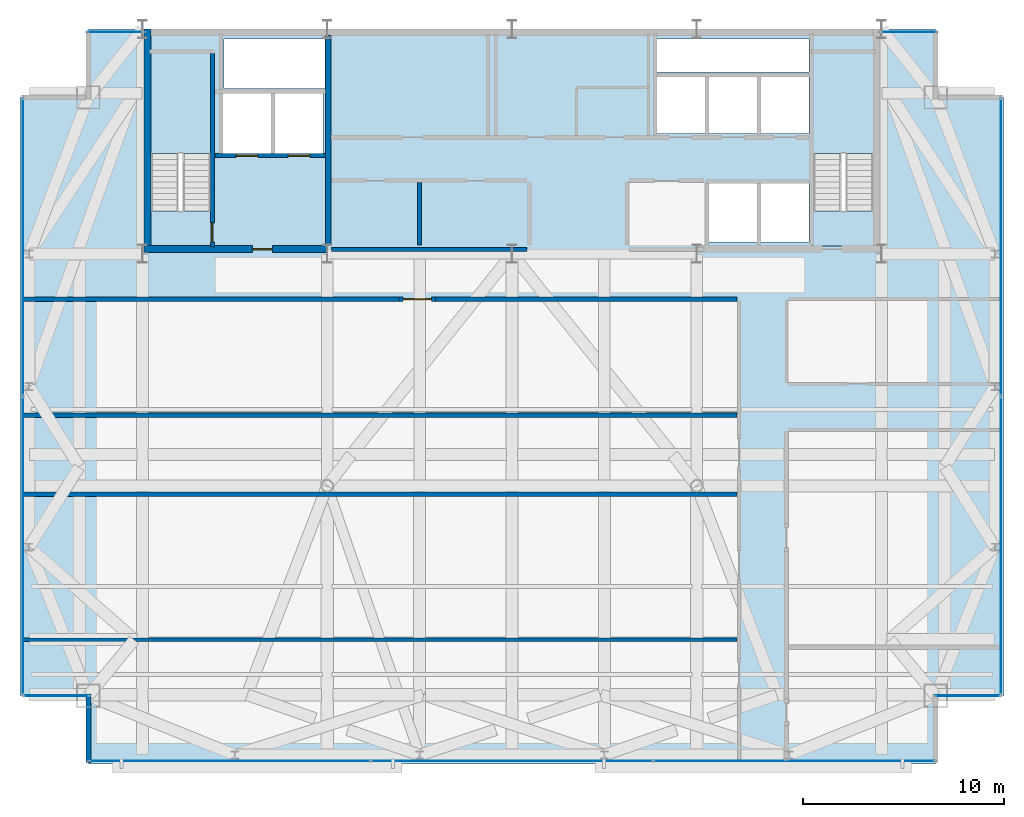
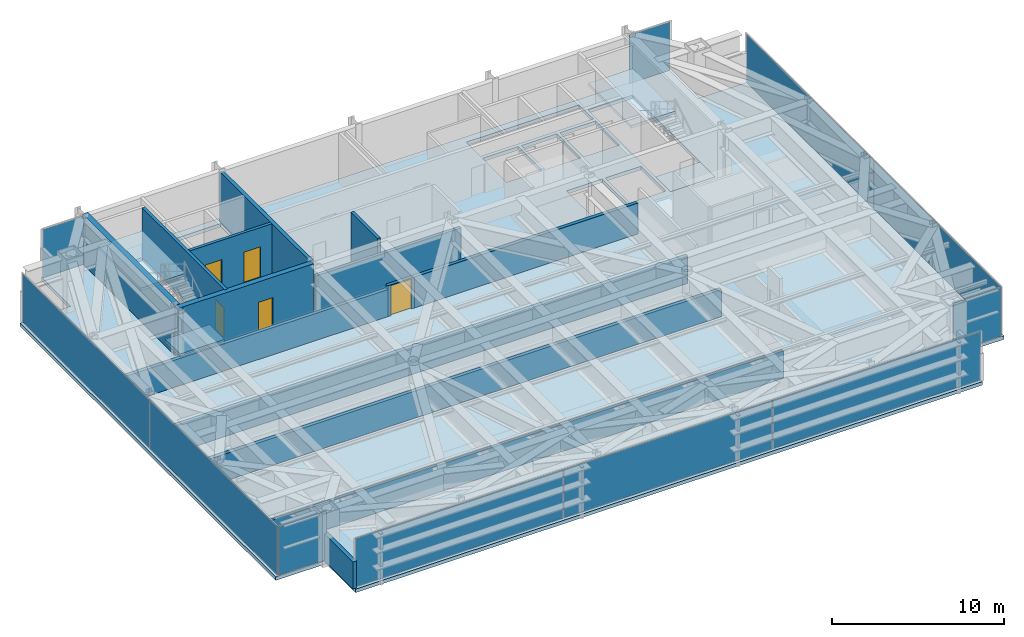
# One storey, part 20 of 23: 14 walls, 11 plates, 5 doors, 5 slabs, 5 openings, 9 elements without a shape of their own.
"""IFC4 building model written with IfcOpenShell, lengths in metres."""

from ifc_helpers import new_model, si_unit, direction, frame, frame_2d, origin, origin_2d, place, context, subcontext, project, spatial, polyline, rectangle, outline, extrude, source, transform, mapped, material, layer, layer_set, type_object, type_shapes, element, fill, aggregate, save


model = new_model("IFC4")

# Units and contexts
model_context = context("Model", 3, precision=1e-05, world=origin(), true_north=direction((0.0, 1.0)))
body_context = subcontext(model_context, "Body", "Model", "MODEL_VIEW")
ifc_project = project(units=[si_unit("LENGTHUNIT", "METRE"), si_unit("AREAUNIT", "SQUARE_METRE"), si_unit("VOLUMEUNIT", "CUBIC_METRE"), si_unit("PLANEANGLEUNIT", "RADIAN"), si_unit("MASSUNIT", "GRAM", prefix="KILO")], contexts=[model_context])

# Site, building, storey
site_placement = place(None, origin())
site = spatial("IfcSite", under=ifc_project, at=site_placement, CompositionType="ELEMENT")
building_placement = place(site_placement, origin())
building = spatial("IfcBuilding", under=site, at=building_placement, Name="Varnel Quay Broadcast Tower", CompositionType="ELEMENT")
storey_placement = place(building_placement, frame((0.0, 0.0, 254.60009765625)))
storey = spatial("IfcBuildingStorey", under=building, at=storey_placement, Name="L63", CompositionType="ELEMENT", Elevation=254.60009765625)

# Slabs
ifc_material_1 = material(Name="Concrete CSA A23.3 C50/60", Category="concrete")
ifc_layer_1 = layer(ifc_material_1, 0.25, Name="Concrete CSA A23.3 C50/60")
ifc_layer_set_1 = layer_set([ifc_layer_1], Name="Concrete CSA A23.3 C50/60")
slab_type_1 = type_object("IfcSlabType", Name="Slab_Floor250", PredefinedType="FLOOR", material=ifc_layer_set_1)
slab_1_placement = place(storey_placement, frame((0.0, 0.0, -0.25)))
element("IfcSlab", 1, at=slab_1_placement, inside=storey, type_object=slab_type_1, Name="L63 Structural Slab", PredefinedType="FLOOR", context=body_context, shape_type="SweptSolid", body=[
    extrude(outline(polyline([(12.89990234375, 10.199951171875), (55.10009765625, 10.199951171875), (55.10009765625, 13.60009765625), (58.5, 13.60009765625), (58.5, 43.39990234375), (55.10009765625, 43.39990234375), (55.10009765625, 46.800048828125), (12.89990234375, 46.800048828125), (12.89990234375, 43.39990234375), (9.5, 43.39990234375), (9.5, 13.60009765625), (12.89990234375, 13.60009765625), (12.89990234375, 10.199951171875)]), holes=[polyline([(19.0, 36.0), (16.0, 36.0), (16.0, 45.60009765625), (19.0, 45.60009765625), (19.0, 36.0)]), polyline([(19.60009765625, 40.60009765625), (19.60009765625, 43.60009765625), (22.0, 43.60009765625), (22.0, 40.60009765625), (19.60009765625, 40.60009765625)]), polyline([(22.199951171875, 40.60009765625), (22.199951171875, 43.60009765625), (24.60009765625, 43.60009765625), (24.60009765625, 40.60009765625), (22.199951171875, 40.60009765625)]), polyline([(41.199951171875, 44.39990234375), (43.60009765625, 44.39990234375), (43.60009765625, 41.60009765625), (41.199951171875, 41.60009765625), (41.199951171875, 44.39990234375)]), polyline([(43.800048828125, 44.39990234375), (46.199951171875, 44.39990234375), (46.199951171875, 41.60009765625), (43.800048828125, 41.60009765625), (43.800048828125, 44.39990234375)]), polyline([(19.64990234375, 43.85009765625), (19.64990234375, 46.300048828125), (24.679931640625, 46.300048828125), (24.679931640625, 43.85009765625), (19.64990234375, 43.85009765625)]), polyline([(43.800048828125, 39.10009765625), (46.199951171875, 39.10009765625), (46.199951171875, 36.199951171875), (43.800048828125, 36.199951171875), (43.800048828125, 39.10009765625)]), polyline([(46.39990234375, 39.10009765625), (48.800048828125, 39.10009765625), (48.800048828125, 36.199951171875), (46.39990234375, 36.199951171875), (46.39990234375, 39.10009765625)]), polyline([(52.0, 36.0), (49.0, 36.0), (49.0, 45.60009765625), (52.0, 45.60009765625), (52.0, 36.0)]), polyline([(46.39990234375, 44.39990234375), (48.800048828125, 44.39990234375), (48.800048828125, 41.60009765625), (46.39990234375, 41.60009765625), (46.39990234375, 44.39990234375)]), polyline([(41.199951171875, 46.300048828125), (48.800048828125, 46.300048828125), (48.800048828125, 44.64990234375), (41.199951171875, 44.64990234375), (41.199951171875, 46.300048828125)])]), origin(), (0.0, 0.0, 1.0), 0.25),
])
ifc_layer_2 = layer(ifc_material_1, 0.25, Name="Concrete CSA A23.3 C50/60")
ifc_layer_set_2 = layer_set([ifc_layer_2], Name="Concrete CSA A23.3 C50/60")
slab_type_2 = type_object("IfcSlabType", Name="Slab_StairFloorLanding250", PredefinedType="FLOOR", material=ifc_layer_set_2)
slab_2_placement = place(storey_placement, frame((0.0, 0.0, -0.25)))
element("IfcSlab", 2, at=slab_2_placement, inside=storey, type_object=slab_type_2, Name="L63 ST-01 Structural Floor Landing Slab", PredefinedType="FLOOR", context=body_context, shape_type="SweptSolid", body=[
    extrude(outline(polyline([(19.0, 36.0), (19.0, 37.75), (16.0, 37.75), (16.0, 36.0), (19.0, 36.0)])), origin(), (0.0, 0.0, 1.0), 0.25),
])
slab_3_placement = place(storey_placement, frame((0.0, 0.0, -0.25)))
element("IfcSlab", 3, at=slab_3_placement, inside=storey, type_object=slab_type_2, Name="L63 ST-02 Structural Floor Landing Slab", PredefinedType="FLOOR", context=body_context, shape_type="SweptSolid", body=[
    extrude(outline(polyline([(52.0, 36.0), (52.0, 37.75), (49.0, 37.75), (49.0, 36.0), (52.0, 36.0)])), origin(), (0.0, 0.0, 1.0), 0.25),
])

# Stair, slab
ifc_material_2 = material(Name="Precast Structural Concrete C40/50", Category="concrete")
stair_type_1 = type_object("IfcStairType", Name="Stair_ST-01", PredefinedType="HALF_TURN_STAIR", material=ifc_material_2)
stair_1_placement = place(storey_placement, origin())
stair_1 = element("IfcStair", 4, at=stair_1_placement, inside=storey, type_object=stair_type_1, Name="L63 West Core Exit Stair 1", PredefinedType="HALF_TURN_STAIR")
ifc_layer_3 = layer(ifc_material_2, 0.199951171875, Name="Precast Structural Concrete C40/50")
ifc_layer_set_3 = layer_set([ifc_layer_3], Name="Precast Structural Concrete C40/50")
slab_type_3 = type_object("IfcSlabType", Name="Slab_StairLanding200", PredefinedType="LANDING", material=ifc_layer_set_3)
slab_4_placement = place(storey_placement, frame((0.0, 0.0, 1.699951171875)))
slab_4 = element("IfcSlab", 5, at=slab_4_placement, type_object=slab_type_3, Name="ST-01 landing 1", PredefinedType="LANDING", context=body_context, shape_type="SweptSolid", body=[
    extrude(outline(polyline([(19.0, 40.60009765625), (19.0, 45.60009765625), (16.0, 45.60009765625), (16.0, 40.60009765625), (19.0, 40.60009765625)])), origin(), (0.0, 0.0, 1.0), 0.199951171875),
])
aggregate(stair_1, [slab_4])

stair_type_2 = type_object("IfcStairType", Name="Stair_ST-02", PredefinedType="HALF_TURN_STAIR", material=ifc_material_2)
stair_2_placement = place(storey_placement, origin())
stair_2 = element("IfcStair", 6, at=stair_2_placement, inside=storey, type_object=stair_type_2, Name="L63 East Core Exit Stair 2", PredefinedType="HALF_TURN_STAIR")
slab_5_placement = place(storey_placement, frame((0.0, 0.0, 1.699951171875)))
slab_5 = element("IfcSlab", 7, at=slab_5_placement, type_object=slab_type_3, Name="ST-02 landing 1", PredefinedType="LANDING", context=body_context, shape_type="SweptSolid", body=[
    extrude(outline(polyline([(52.0, 40.60009765625), (52.0, 45.60009765625), (49.0, 45.60009765625), (49.0, 40.60009765625), (52.0, 40.60009765625)])), origin(), (0.0, 0.0, 1.0), 0.199951171875),
])
aggregate(stair_2, [slab_5])

# Curtain wall, plate
ifc_material_3 = material(Name="Anodised Bronze Aluminium 6063-T6", Category="aluminium")
ifc_layer_4 = layer(ifc_material_3, 0.18994140625, Name="Anodised Bronze Aluminium 6063-T6")
ifc_layer_set_4 = layer_set([ifc_layer_4], Name="Anodised Bronze Aluminium 6063-T6")
curtain_wall_type_1 = type_object("IfcCurtainWallType", Name="CW_NotchCorner", PredefinedType="NOTDEFINED", material=ifc_layer_set_4)
curtain_wall_1_placement = place(storey_placement, origin())
curtain_wall_1 = element("IfcCurtainWall", 8, at=curtain_wall_1_placement, inside=storey, type_object=curtain_wall_type_1, Name="L63 SW Notch Curtain Wall", PredefinedType="NOTDEFINED")
ifc_material_4 = material(Name="Triple-Glazed Bronze Low-E Architectural Glass", Category="glass")
ifc_layer_5 = layer(ifc_material_4, 0.028076171875, Name="Triple-Glazed Bronze Low-E Architectural Glass")
ifc_layer_set_5 = layer_set([ifc_layer_5], Name="Triple-Glazed Bronze Low-E Architectural Glass")
plate_type_1 = type_object("IfcPlateType", Name="Panel_CWS-04", PredefinedType="CURTAIN_PANEL", material=ifc_layer_set_5)
shared_shape_1 = source(origin(), body_context, "Body", "SweptSolid", [
    extrude(rectangle(XDim=3.2099609375, YDim=0.028076171875, at=origin_2d()), origin(), (0.0, 0.0, 1.0), 3.43994140625),
])
type_shapes(plate_type_1, [shared_shape_1])
plate_1_placement = place(storey_placement, frame((11.31494140625, 13.60009765625, 0.054931640625), z_axis=(0.0, 0.0, 1.0), x_axis=(1.0, 0.0, 0.0)))
plate_1 = element("IfcPlate", 9, at=plate_1_placement, type_object=plate_type_1, Name="CWS-04 panel 1.1", PredefinedType="CURTAIN_PANEL", context=body_context, shape_type="MappedRepresentation", body=[
    mapped(shared_shape_1, transform((0.0, 0.0, 0.0), x_axis=(1.0, 0.0, 0.0), y_axis=(0.0, 1.0, 0.0), z_axis=(0.0, 0.0, 1.0), scale=1.0)),
])
aggregate(curtain_wall_1, [plate_1])

curtain_wall_2_placement = place(storey_placement, origin())
curtain_wall_2 = element("IfcCurtainWall", 10, at=curtain_wall_2_placement, inside=storey, type_object=curtain_wall_type_1, Name="L63 SE Notch Curtain Wall", PredefinedType="NOTDEFINED")
plate_2_placement = place(storey_placement, frame((56.68505859375, 13.60009765625, 0.054931640625), z_axis=(0.0, 0.0, 1.0), x_axis=(1.0, 0.0, 0.0)))
plate_2 = element("IfcPlate", 11, at=plate_2_placement, type_object=plate_type_1, Name="CWS-04 panel 1.1", PredefinedType="CURTAIN_PANEL", context=body_context, shape_type="MappedRepresentation", body=[
    mapped(shared_shape_1, transform((0.0, 0.0, 0.0), x_axis=(1.0, 0.0, 0.0), y_axis=(0.0, 1.0, 0.0), z_axis=(0.0, 0.0, 1.0), scale=1.0)),
])
aggregate(curtain_wall_2, [plate_2])

ifc_layer_6 = layer(ifc_material_3, 0.18994140625, Name="Anodised Bronze Aluminium 6063-T6")
ifc_layer_set_6 = layer_set([ifc_layer_6], Name="Anodised Bronze Aluminium 6063-T6")
curtain_wall_type_2 = type_object("IfcCurtainWallType", Name="CW_UpperTower", PredefinedType="NOTDEFINED", material=ifc_layer_set_6)
curtain_wall_3_placement = place(storey_placement, origin())
curtain_wall_3 = element("IfcCurtainWall", 12, at=curtain_wall_3_placement, inside=storey, type_object=curtain_wall_type_2, Name="L63 NW Wing Curtain Wall", PredefinedType="NOTDEFINED")
ifc_layer_7 = layer(ifc_material_4, 0.030029296875, Name="Triple-Glazed Bronze Low-E Architectural Glass")
ifc_layer_set_7 = layer_set([ifc_layer_7], Name="Triple-Glazed Bronze Low-E Architectural Glass")
plate_type_2 = type_object("IfcPlateType", Name="Panel_CWS-03", PredefinedType="CURTAIN_PANEL", material=ifc_layer_set_7)
shared_shape_2 = source(origin(), body_context, "Body", "SweptSolid", [
    extrude(rectangle(XDim=2.75, YDim=0.030029296875, at=origin_2d()), origin(), (0.0, 0.0, 1.0), 3.429931640625),
])
plate_3_placement = place(storey_placement, frame((14.260009765625, 46.64990234375, 0.06005859375), z_axis=(0.0, 0.0, 1.0), x_axis=(1.0, 0.0, 0.0)))
plate_3 = element("IfcPlate", 13, at=plate_3_placement, type_object=plate_type_2, Name="CWS-03 panel 1.1", PredefinedType="CURTAIN_PANEL", context=body_context, shape_type="MappedRepresentation", body=[
    mapped(shared_shape_2, transform((0.0, 0.0, 0.0), x_axis=(1.0, 0.0, 0.0), y_axis=(0.0, 1.0, 0.0), z_axis=(0.0, 0.0, 1.0), scale=1.0)),
])
aggregate(curtain_wall_3, [plate_3])

curtain_wall_4_placement = place(storey_placement, origin())
curtain_wall_4 = element("IfcCurtainWall", 14, at=curtain_wall_4_placement, inside=storey, type_object=curtain_wall_type_2, Name="L63 NE Wing Curtain Wall", PredefinedType="NOTDEFINED")
plate_4_placement = place(storey_placement, frame((53.739990234375, 46.64990234375, 0.06005859375), z_axis=(0.0, 0.0, 1.0), x_axis=(1.0, 0.0, 0.0)))
plate_4 = element("IfcPlate", 15, at=plate_4_placement, type_object=plate_type_2, Name="CWS-03 panel 1.1", PredefinedType="CURTAIN_PANEL", context=body_context, shape_type="MappedRepresentation", body=[
    mapped(shared_shape_2, transform((0.0, 0.0, 0.0), x_axis=(1.0, 0.0, 0.0), y_axis=(0.0, 1.0, 0.0), z_axis=(0.0, 0.0, 1.0), scale=1.0)),
])
aggregate(curtain_wall_4, [plate_4])

# Curtain wall, plates
curtain_wall_5_placement = place(storey_placement, origin())
curtain_wall_5 = element("IfcCurtainWall", 16, at=curtain_wall_5_placement, inside=storey, type_object=curtain_wall_type_2, Name="L63 South Unitised Curtain Wall 1", PredefinedType="NOTDEFINED")
shared_shape_3 = source(origin(), body_context, "Body", "SweptSolid", [
    extrude(rectangle(XDim=13.96923828125, YDim=0.030029296875, at=origin_2d()), origin(), (0.0, 0.0, 1.0), 3.429931640625),
])
plate_5_placement = place(storey_placement, frame((19.949462890625, 10.35009765625, 0.06005859375), z_axis=(0.0, 0.0, 1.0), x_axis=(1.0, 0.0, 0.0)))
plate_5 = element("IfcPlate", 17, at=plate_5_placement, type_object=plate_type_2, Name="CWS-03 panel 1.1", PredefinedType="CURTAIN_PANEL", context=body_context, shape_type="MappedRepresentation", body=[
    mapped(shared_shape_3, transform((0.0, 0.0, 0.0), x_axis=(1.0, 0.0, 0.0), y_axis=(0.0, 1.0, 0.0), z_axis=(0.0, 0.0, 1.0), scale=1.0)),
])
plate_6_placement = place(storey_placement, frame((48.050537109375, 10.35009765625, 0.06005859375), z_axis=(0.0, 0.0, 1.0), x_axis=(1.0, 0.0, 0.0)))
plate_6 = element("IfcPlate", 18, at=plate_6_placement, type_object=plate_type_2, Name="CWS-03 panel 3.1", PredefinedType="CURTAIN_PANEL", context=body_context, shape_type="MappedRepresentation", body=[
    mapped(shared_shape_3, transform((0.0, 0.0, 0.0), x_axis=(1.0, 0.0, 0.0), y_axis=(0.0, 1.0, 0.0), z_axis=(0.0, 0.0, 1.0), scale=1.0)),
])

curtain_wall_6_placement = place(storey_placement, origin())
curtain_wall_6 = element("IfcCurtainWall", 19, at=curtain_wall_6_placement, inside=storey, type_object=curtain_wall_type_2, Name="L63 West Unitised Curtain Wall", PredefinedType="NOTDEFINED")
shared_shape_4 = source(origin(), body_context, "Body", "SweptSolid", [
    extrude(rectangle(XDim=14.802490234375, YDim=0.030029296875, at=origin_2d()), origin(), (0.0, 0.0, 1.0), 3.429931640625),
])
plate_7_placement = place(storey_placement, frame((9.64990234375, 21.066162109375, 0.06005859375), z_axis=(0.0, 0.0, 1.0), x_axis=(0.0, 1.0, 0.0)))
plate_7 = element("IfcPlate", 20, at=plate_7_placement, type_object=plate_type_2, Name="CWS-03 panel 1.1", PredefinedType="CURTAIN_PANEL", context=body_context, shape_type="MappedRepresentation", body=[
    mapped(shared_shape_4, transform((0.0, 0.0, 0.0), x_axis=(1.0, 0.0, 0.0), y_axis=(0.0, 1.0, 0.0), z_axis=(0.0, 0.0, 1.0), scale=1.0)),
])
plate_8_placement = place(storey_placement, frame((9.64990234375, 35.933837890625, 0.06005859375), z_axis=(0.0, 0.0, 1.0), x_axis=(0.0, 1.0, 0.0)))
plate_8 = element("IfcPlate", 21, at=plate_8_placement, type_object=plate_type_2, Name="CWS-03 panel 2.1", PredefinedType="CURTAIN_PANEL", context=body_context, shape_type="MappedRepresentation", body=[
    mapped(shared_shape_4, transform((0.0, 0.0, 0.0), x_axis=(1.0, 0.0, 0.0), y_axis=(0.0, 1.0, 0.0), z_axis=(0.0, 0.0, 1.0), scale=1.0)),
])
aggregate(curtain_wall_6, [plate_7, plate_8])

curtain_wall_7_placement = place(storey_placement, origin())
curtain_wall_7 = element("IfcCurtainWall", 22, at=curtain_wall_7_placement, inside=storey, type_object=curtain_wall_type_2, Name="L63 East Unitised Curtain Wall", PredefinedType="NOTDEFINED")
plate_9_placement = place(storey_placement, frame((58.35009765625, 21.066162109375, 0.06005859375), z_axis=(0.0, 0.0, 1.0), x_axis=(0.0, 1.0, 0.0)))
plate_9 = element("IfcPlate", 23, at=plate_9_placement, type_object=plate_type_2, Name="CWS-03 panel 1.1", PredefinedType="CURTAIN_PANEL", context=body_context, shape_type="MappedRepresentation", body=[
    mapped(shared_shape_4, transform((0.0, 0.0, 0.0), x_axis=(1.0, 0.0, 0.0), y_axis=(0.0, 1.0, 0.0), z_axis=(0.0, 0.0, 1.0), scale=1.0)),
])
plate_10_placement = place(storey_placement, frame((58.35009765625, 35.933837890625, 0.06005859375), z_axis=(0.0, 0.0, 1.0), x_axis=(0.0, 1.0, 0.0)))
plate_10 = element("IfcPlate", 24, at=plate_10_placement, type_object=plate_type_2, Name="CWS-03 panel 2.1", PredefinedType="CURTAIN_PANEL", context=body_context, shape_type="MappedRepresentation", body=[
    mapped(shared_shape_4, transform((0.0, 0.0, 0.0), x_axis=(1.0, 0.0, 0.0), y_axis=(0.0, 1.0, 0.0), z_axis=(0.0, 0.0, 1.0), scale=1.0)),
])
aggregate(curtain_wall_7, [plate_9, plate_10])

# Plate
shared_shape_5 = source(origin(), body_context, "Body", "SweptSolid", [
    extrude(rectangle(XDim=14.001708984375, YDim=0.030029296875, at=origin_2d()), origin(), (0.0, 0.0, 1.0), 3.429931640625),
])
type_shapes(plate_type_2, [shared_shape_2, shared_shape_3, shared_shape_4, shared_shape_5])
plate_11_placement = place(storey_placement, frame((34.0, 10.35009765625, 0.06005859375), z_axis=(0.0, 0.0, 1.0), x_axis=(1.0, 0.0, 0.0)))
plate_11 = element("IfcPlate", 25, at=plate_11_placement, type_object=plate_type_2, Name="CWS-03 panel 2.1", PredefinedType="CURTAIN_PANEL", context=body_context, shape_type="MappedRepresentation", body=[
    mapped(shared_shape_5, transform((0.0, 0.0, 0.0), x_axis=(1.0, 0.0, 0.0), y_axis=(0.0, 1.0, 0.0), z_axis=(0.0, 0.0, 1.0), scale=1.0)),
])

aggregate(curtain_wall_5, [plate_5, plate_11, plate_6])

# Wall, opening, door
ifc_layer_8 = layer(ifc_material_1, 0.199951171875, Name="Concrete CSA A23.3 C50/60")
ifc_layer_set_8 = layer_set([ifc_layer_8], Name="Concrete CSA A23.3 C50/60")
wall_type_1 = type_object("IfcWallType", Name="Wall_CoreShaftShear200", PredefinedType="SHEAR", material=ifc_layer_set_8)
wall_1_placement = place(storey_placement, frame((19.080078125, 35.949951171875, 0.0), z_axis=(0.0, 0.0, 1.0), x_axis=(0.0, 1.0, 0.0)))
wall_1 = element("IfcWall", 26, at=wall_1_placement, inside=storey, type_object=wall_type_1, Name="L63 Stair 1 East Structural Wall", PredefinedType="SHEAR", context=body_context, shape_type="SweptSolid", body=[
    extrude(rectangle(XDim=9.650146484375, YDim=0.199951171875, at=frame_2d((4.8251953125, 0.0))), origin(), (0.0, 0.0, 1.0), 3.5498046875),
])
opening_1_placement = place(wall_1_placement, frame((0.25, 0.0, 0.0)))
opening_1 = element("IfcOpeningElement", 27, at=opening_1_placement, cuts=wall_1, Name="Opening D-L63-S1", PredefinedType="OPENING", context=body_context, shape_type="SweptSolid", body=[
    extrude(rectangle(XDim=0.949951171875, YDim=2.10009765625, at=frame_2d((0.47509765625, 1.050048828125))), frame((0.0, 0.10986328125, 0.0), z_axis=(0.0, -1.0, 0.0), x_axis=(1.0, 0.0, 0.0)), (0.0, 0.0, 1.0), 0.219970703125),
])
ifc_material_5 = material(Name="Insulated Fire-Rated Hollow Steel Door", Category="steel")
door_type_1 = type_object("IfcDoorType", Name="Door_FireStair950", OperationType="NOTDEFINED", PredefinedType="DOOR", material=ifc_material_5)
shared_shape_6 = source(origin(), body_context, "Body", "SweptSolid", [
    extrude(rectangle(XDim=0.949951171875, YDim=2.10009765625, at=frame_2d((0.47509765625, 1.050048828125))), frame((0.0, 0.02490234375, 0.0), z_axis=(0.0, -1.0, 0.0), x_axis=(1.0, 0.0, 0.0)), (0.0, 0.0, 1.0), 0.050048828125),
])
type_shapes(door_type_1, [shared_shape_6])
door_1_placement = place(opening_1_placement, origin())
door_1 = element("IfcDoor", 28, at=door_1_placement, inside=storey, type_object=door_type_1, Name="L63 Stair 1 Fire Door", OperationType="SINGLE_SWING_LEFT", OverallHeight=2.10009765625, OverallWidth=0.949951171875, PredefinedType="DOOR", context=body_context, shape_type="MappedRepresentation", body=[
    mapped(shared_shape_6, transform((0.0, 0.0, 0.0), x_axis=(1.0, 0.0, 0.0), y_axis=(0.0, 1.0, 0.0), z_axis=(0.0, 0.0, 1.0), scale=1.0)),
])
fill(opening_1, door_1)

# Wall, openings, doors
wall_2_placement = place(storey_placement, frame((19.199951171875, 40.5, 0.0), z_axis=(0.0, 0.0, 1.0), x_axis=(1.0, 0.0, 0.0)))
wall_2 = element("IfcWall", 29, at=wall_2_placement, inside=storey, type_object=wall_type_1, Name="L63 Firefighter Lift Shaft Front Wall", PredefinedType="SHEAR", context=body_context, shape_type="SweptSolid", body=[
    extrude(rectangle(XDim=5.52001953125, YDim=0.199951171875, at=frame_2d((2.760009765625, 0.0))), origin(), (0.0, 0.0, 1.0), 3.5498046875),
])
opening_2_placement = place(wall_2_placement, frame((1.050048828125, 0.0, 0.0)))
opening_2 = element("IfcOpeningElement", 30, at=opening_2_placement, cuts=wall_2, Name="Opening LD-L63-FE1", PredefinedType="OPENING", context=body_context, shape_type="SweptSolid", body=[
    extrude(rectangle(XDim=1.10009765625, YDim=2.179931640625, at=frame_2d((0.550048828125, 1.08984375))), frame((0.0, 0.10986328125, 0.0), z_axis=(0.0, -1.0, 0.0), x_axis=(1.0, 0.0, 0.0)), (0.0, 0.0, 1.0), 0.219970703125),
])
opening_3_placement = place(wall_2_placement, frame((3.64990234375, 0.0, 0.0)))
opening_3 = element("IfcOpeningElement", 31, at=opening_3_placement, cuts=wall_2, Name="Opening LD-L63-FE2", PredefinedType="OPENING", context=body_context, shape_type="SweptSolid", body=[
    extrude(rectangle(XDim=1.10009765625, YDim=2.179931640625, at=frame_2d((0.550048828125, 1.08984375))), frame((0.0, 0.10986328125, 0.0), z_axis=(0.0, -1.0, 0.0), x_axis=(1.0, 0.0, 0.0)), (0.0, 0.0, 1.0), 0.219970703125),
])
ifc_material_6 = material(Name="Brushed Bronze-Stainless Lift Car & Sliding Doors", Category="steel")
door_type_2 = type_object("IfcDoorType", Name="Door_LiftLanding1100", OperationType="SLIDING_TO_LEFT", PredefinedType="DOOR", material=ifc_material_6)
shared_shape_7 = source(origin(), body_context, "Body", "SweptSolid", [
    extrude(rectangle(XDim=1.10009765625, YDim=2.179931640625, at=frame_2d((0.550048828125, 1.08984375))), frame((0.0, 0.02490234375, 0.0), z_axis=(0.0, -1.0, 0.0), x_axis=(1.0, 0.0, 0.0)), (0.0, 0.0, 1.0), 0.050048828125),
])
type_shapes(door_type_2, [shared_shape_7])
door_2_placement = place(opening_2_placement, frame((1.10009765625, 0.0, 0.0), z_axis=(0.0, 0.0, 1.0), x_axis=(-1.0, 0.0, 0.0)))
door_2 = element("IfcDoor", 32, at=door_2_placement, inside=storey, type_object=door_type_2, Name="L63 Firefighter Lift FE-01 Landing Door", OperationType="SLIDING_TO_LEFT", OverallHeight=2.179931640625, OverallWidth=1.10009765625, PredefinedType="DOOR", context=body_context, shape_type="MappedRepresentation", body=[
    mapped(shared_shape_7, transform((0.0, 0.0, 0.0), x_axis=(1.0, 0.0, 0.0), y_axis=(0.0, 1.0, 0.0), z_axis=(0.0, 0.0, 1.0), scale=1.0)),
])
fill(opening_2, door_2)
door_3_placement = place(opening_3_placement, frame((1.10009765625, 0.0, 0.0), z_axis=(0.0, 0.0, 1.0), x_axis=(-1.0, 0.0, 0.0)))
door_3 = element("IfcDoor", 33, at=door_3_placement, inside=storey, type_object=door_type_2, Name="L63 Firefighter Lift FE-02 Landing Door", OperationType="SLIDING_TO_RIGHT", OverallHeight=2.179931640625, OverallWidth=1.10009765625, PredefinedType="DOOR", context=body_context, shape_type="MappedRepresentation", body=[
    mapped(shared_shape_7, transform((0.0, 0.0, 0.0), x_axis=(1.0, 0.0, 0.0), y_axis=(0.0, 1.0, 0.0), z_axis=(0.0, 0.0, 1.0), scale=1.0)),
])
fill(opening_3, door_3)

# Walls
ifc_layer_9 = layer(ifc_material_1, 0.25, Name="Concrete CSA A23.3 C50/60")
ifc_layer_set_9 = layer_set([ifc_layer_9], Name="Concrete CSA A23.3 C50/60")
wall_type_2 = type_object("IfcWallType", Name="Wall_CoreShaftShear250", PredefinedType="SHEAR", material=ifc_layer_set_9)
wall_3_placement = place(storey_placement, frame((24.85009765625, 36.050048828125, 0.0), z_axis=(0.0, 0.0, 1.0), x_axis=(0.0, 1.0, 0.0)))
element("IfcWall", 34, at=wall_3_placement, inside=storey, type_object=wall_type_2, Name="L63 Firefighting Lobby East Structural Wall", PredefinedType="SHEAR", context=body_context, shape_type="SweptSolid", body=[
    extrude(rectangle(XDim=10.449951171875, YDim=0.25, at=frame_2d((5.22509765625, 0.0))), origin(), (0.0, 0.0, 1.0), 3.5498046875),
])
ifc_layer_10 = layer(ifc_material_1, 0.35009765625, Name="Concrete CSA A23.3 C50/60")
ifc_layer_set_10 = layer_set([ifc_layer_10], Name="Concrete CSA A23.3 C50/60")
wall_type_3 = type_object("IfcWallType", Name="Wall_CoreShearInt350", PredefinedType="SHEAR", material=ifc_layer_set_10)
wall_4_placement = place(storey_placement, frame((15.844970703125, 35.669921875, 0.0), z_axis=(0.0, 0.0, 1.0), x_axis=(0.0, 1.0, 0.0)))
element("IfcWall", 35, at=wall_4_placement, inside=storey, type_object=wall_type_3, Name="L63 West Core Shear Wall", PredefinedType="SHEAR", context=body_context, shape_type="SweptSolid", body=[
    extrude(rectangle(XDim=11.130126953125, YDim=0.35009765625, at=frame_2d((5.56494140625, 0.0))), origin(), (0.0, 0.0, 1.0), 3.5498046875),
])

# Wall, opening, door
wall_5_placement = place(storey_placement, frame((15.669921875, 35.844970703125, 0.0), z_axis=(0.0, 0.0, 1.0), x_axis=(1.0, 0.0, 0.0)))
wall_5 = element("IfcWall", 36, at=wall_5_placement, inside=storey, type_object=wall_type_3, Name="L63 South-West Core Shear Wall", PredefinedType="SHEAR", context=body_context, shape_type="SweptSolid", body=[
    extrude(rectangle(XDim=9.130126953125, YDim=0.35009765625, at=frame_2d((4.56494140625, 0.0))), origin(), (0.0, 0.0, 1.0), 3.5498046875),
])
opening_4_placement = place(wall_5_placement, frame((5.39990234375, 0.0, 0.0)))
opening_4 = element("IfcOpeningElement", 37, at=opening_4_placement, cuts=wall_5, Name="Opening D-L63-FFL", PredefinedType="OPENING", context=body_context, shape_type="SweptSolid", body=[
    extrude(rectangle(XDim=1.0, YDim=2.10009765625, at=frame_2d((0.5, 1.050048828125))), frame((0.0, 0.18505859375, 0.0), z_axis=(0.0, -1.0, 0.0), x_axis=(1.0, 0.0, 0.0)), (0.0, 0.0, 1.0), 0.3701171875),
])
door_type_3 = type_object("IfcDoorType", Name="Door_FireLobby1000", OperationType="NOTDEFINED", PredefinedType="DOOR", material=ifc_material_5)
shared_shape_8 = source(origin(), body_context, "Body", "SweptSolid", [
    extrude(rectangle(XDim=1.0, YDim=2.10009765625, at=frame_2d((0.5, 1.050048828125))), frame((0.0, 0.02490234375, 0.0), z_axis=(0.0, -1.0, 0.0), x_axis=(1.0, 0.0, 0.0)), (0.0, 0.0, 1.0), 0.050048828125),
])
type_shapes(door_type_3, [shared_shape_8])
door_4_placement = place(opening_4_placement, origin())
door_4 = element("IfcDoor", 38, at=door_4_placement, inside=storey, type_object=door_type_3, Name="L63 Firefighting Lobby Door", OperationType="SINGLE_SWING_RIGHT", OverallHeight=2.10009765625, OverallWidth=1.0, PredefinedType="DOOR", context=body_context, shape_type="MappedRepresentation", body=[
    mapped(shared_shape_8, transform((0.0, 0.0, 0.0), x_axis=(1.0, 0.0, 0.0), y_axis=(0.0, 1.0, 0.0), z_axis=(0.0, 0.0, 1.0), scale=1.0)),
])
fill(opening_4, door_4)

# Walls
ifc_material_7 = material(Name="Precast Architectural Concrete C40/50", Category="concrete")
ifc_layer_11 = layer(ifc_material_7, 0.25, Name="Precast Architectural Concrete C40/50")
ifc_layer_set_11 = layer_set([ifc_layer_11], Name="Precast Architectural Concrete C40/50")
wall_type_4 = type_object("IfcWallType", Name="Wall_ExtTerrace250", PredefinedType="SOLIDWALL", material=ifc_layer_set_11)
wall_6_placement = place(storey_placement, frame((12.89990234375, 10.280029296875, 0.0), z_axis=(0.0, 0.0, 1.0), x_axis=(0.0, 1.0, 0.0)))
element("IfcWall", 39, at=wall_6_placement, inside=storey, type_object=wall_type_4, Name="L63 Mega-Column Notch Cladding Wall NSW2", PredefinedType="SOLIDWALL", context=body_context, shape_type="SweptSolid", body=[
    extrude(rectangle(XDim=3.39990234375, YDim=0.25, at=frame_2d((1.699951171875, 0.0))), origin(), (0.0, 0.0, 1.0), 1.9248046875),
])
ifc_material_8 = material(Name="Steel-Stud Fire-Rated Acoustic Gypsum Partition Assembly", Category="steel")
ifc_layer_12 = layer(ifc_material_8, 0.175048828125, Name="Steel-Stud Fire-Rated Acoustic Gypsum Partition Assembly")
ifc_layer_set_12 = layer_set([ifc_layer_12], Name="Steel-Stud Fire-Rated Acoustic Gypsum Partition Assembly")
wall_type_5 = type_object("IfcWallType", Name="Wall_Partition175", PredefinedType="PARTITIONING", material=ifc_layer_set_12)
wall_7_placement = place(storey_placement, frame((9.679931640625, 16.389892578125, 0.0), z_axis=(0.0, 0.0, 1.0), x_axis=(1.0, 0.0, 0.0)))
element("IfcWall", 40, at=wall_7_placement, inside=storey, type_object=wall_type_5, Name="L63 Broadcast Seminar Room 1 Partition 15", PredefinedType="PARTITIONING", context=body_context, shape_type="SweptSolid", body=[
    extrude(rectangle(XDim=35.530029296875, YDim=0.175048828125, at=frame_2d((17.76513671875, 0.0))), origin(), (0.0, 0.0, 1.0), 1.9248046875),
])
ifc_layer_13 = layer(ifc_material_8, 0.22509765625, Name="Steel-Stud Fire-Rated Acoustic Gypsum Partition Assembly")
ifc_layer_set_13 = layer_set([ifc_layer_13], Name="Steel-Stud Fire-Rated Acoustic Gypsum Partition Assembly")
wall_type_6 = type_object("IfcWallType", Name="Wall_Partition225", PredefinedType="PARTITIONING", material=ifc_layer_set_13)
for number, where, z_axis, x_axis, name in (
    (41, (9.679931640625, 23.6298828125, 0.0), (0.0, 0.0, 1.0), (1.0, 0.0, 0.0), "L63 Podcast Recording Studio 2 Partition 16"),
    (42, (9.679931640625, 27.56005859375, 0.0), (0.0, 0.0, 1.0), (1.0, 0.0, 0.0), "L63 Foley Sound Studio 3 Partition 17"),
):
    element("IfcWall", number, at=place(storey_placement, frame(where, z_axis=z_axis, x_axis=x_axis)), inside=storey, type_object=wall_type_6, Name=name, PredefinedType="PARTITIONING", context=body_context, shape_type="SweptSolid", body=[
        extrude(rectangle(XDim=35.530029296875, YDim=0.22509765625, at=frame_2d((17.76513671875, 0.0))), origin(), (0.0, 0.0, 1.0), 1.9248046875),
    ])
wall_8_placement = place(storey_placement, frame((9.679931640625, 33.35009765625, 0.0), z_axis=(0.0, 0.0, 1.0), x_axis=(1.0, 0.0, 0.0)))
element("IfcWall", 43, at=wall_8_placement, inside=storey, type_object=wall_type_6, Name="L63 Voice Booth 4 Partition 18", PredefinedType="PARTITIONING", context=body_context, shape_type="SweptSolid", body=[
    extrude(rectangle(XDim=18.699951171875, YDim=0.22509765625, at=frame_2d((9.35009765625, 0.0))), origin(), (0.0, 0.0, 1.0), 1.9248046875),
])

# Wall, opening, door
wall_9_placement = place(storey_placement, frame((28.3798828125, 33.35009765625, 0.0), z_axis=(0.0, 0.0, 1.0), x_axis=(1.0, 0.0, 0.0)))
wall_9 = element("IfcWall", 44, at=wall_9_placement, inside=storey, type_object=wall_type_6, Name="L63 Voice Booth 4 Door Partition 19", PredefinedType="PARTITIONING", context=body_context, shape_type="SweptSolid", body=[
    extrude(rectangle(XDim=1.800048828125, YDim=0.22509765625, at=frame_2d((0.89990234375, 0.0))), origin(), (0.0, 0.0, 1.0), 2.19482421875),
])
opening_5_placement = place(wall_9_placement, frame((0.199951171875, 0.0, 0.0)))
opening_5 = element("IfcOpeningElement", 45, at=opening_5_placement, cuts=wall_9, Name="Opening D-L63-07", PredefinedType="OPENING", context=body_context, shape_type="SweptSolid", body=[
    extrude(rectangle(XDim=1.39990234375, YDim=2.1201171875, at=frame_2d((0.699951171875, 1.06005859375))), frame((0.0, 0.12255859375, 0.0), z_axis=(0.0, -1.0, 0.0), x_axis=(1.0, 0.0, 0.0)), (0.0, 0.0, 1.0), 0.2451171875),
])
ifc_material_9 = material(Name="Solid-Core Fire-Rated Acoustic Oak Veneer Door", Category="wood")
door_type_4 = type_object("IfcDoorType", Name="Door_Gallery1400", OperationType="DOUBLE_DOOR_SINGLE_SWING", PredefinedType="DOOR", material=ifc_material_9)
shared_shape_9 = source(origin(), body_context, "Body", "SweptSolid", [
    extrude(rectangle(XDim=1.39990234375, YDim=2.1201171875, at=frame_2d((0.699951171875, 1.06005859375))), frame((0.0, 0.02490234375, 0.0), z_axis=(0.0, -1.0, 0.0), x_axis=(1.0, 0.0, 0.0)), (0.0, 0.0, 1.0), 0.050048828125),
])
type_shapes(door_type_4, [shared_shape_9])
door_5_placement = place(opening_5_placement, frame((1.39990234375, 0.0, 0.0), z_axis=(0.0, 0.0, 1.0), x_axis=(-1.0, 0.0, 0.0)))
door_5 = element("IfcDoor", 46, at=door_5_placement, inside=storey, type_object=door_type_4, Name="L63 Voice Booth 4 Door D-L63-07", OperationType="DOUBLE_DOOR_SINGLE_SWING", OverallHeight=2.1201171875, OverallWidth=1.39990234375, PredefinedType="DOOR", context=body_context, shape_type="MappedRepresentation", body=[
    mapped(shared_shape_9, transform((0.0, 0.0, 0.0), x_axis=(1.0, 0.0, 0.0), y_axis=(0.0, 1.0, 0.0), z_axis=(0.0, 0.0, 1.0), scale=1.0)),
])
fill(opening_5, door_5)

# Walls
wall_10_placement = place(storey_placement, frame((30.179931640625, 33.35009765625, 0.0), z_axis=(0.0, 0.0, 1.0), x_axis=(1.0, 0.0, 0.0)))
element("IfcWall", 47, at=wall_10_placement, inside=storey, type_object=wall_type_6, Name="L63 Voice Booth 4 Partition 20", PredefinedType="PARTITIONING", context=body_context, shape_type="SweptSolid", body=[
    extrude(rectangle(XDim=15.030029296875, YDim=0.22509765625, at=frame_2d((7.51513671875, 0.0))), origin(), (0.0, 0.0, 1.0), 2.19482421875),
])
ifc_material_10 = material(Name="Fire-Rated Moisture-Resistant Plumbing Chase Partition")
ifc_layer_14 = layer(ifc_material_10, 0.199951171875, Name="Fire-Rated Moisture-Resistant Plumbing Chase Partition")
ifc_layer_set_14 = layer_set([ifc_layer_14], Name="Fire-Rated Moisture-Resistant Plumbing Chase Partition")
wall_type_7 = type_object("IfcWallType", Name="Wall_Plumbing200", PredefinedType="PLUMBINGWALL", material=ifc_layer_set_14)
wall_11_placement = place(storey_placement, frame((25.0, 35.824951171875, 0.0), z_axis=(0.0, 0.0, 1.0), x_axis=(1.0, 0.0, 0.0)))
element("IfcWall", 48, at=wall_11_placement, inside=storey, type_object=wall_type_7, Name="L63 Accessible Washroom Partition 1", PredefinedType="PLUMBINGWALL", context=body_context, shape_type="SweptSolid", body=[
    extrude(rectangle(XDim=9.75, YDim=0.199951171875, at=frame_2d((4.875, 0.0))), origin(), (0.0, 0.0, 1.0), 2.574951171875),
])
wall_12_placement = place(storey_placement, frame((29.39990234375, 36.050048828125, 0.0), z_axis=(0.0, 0.0, 1.0), x_axis=(0.0, 1.0, 0.0)))
element("IfcWall", 49, at=wall_12_placement, inside=storey, type_object=wall_type_7, Name="L63 Accessible Washroom Partition 2", PredefinedType="PLUMBINGWALL", context=body_context, shape_type="SweptSolid", body=[
    extrude(rectangle(XDim=3.099853515625, YDim=0.199951171875, at=frame_2d((1.5498046875, 0.0))), origin(), (0.0, 0.0, 1.0), 3.52978515625),
])

save(model, "model.ifc")
